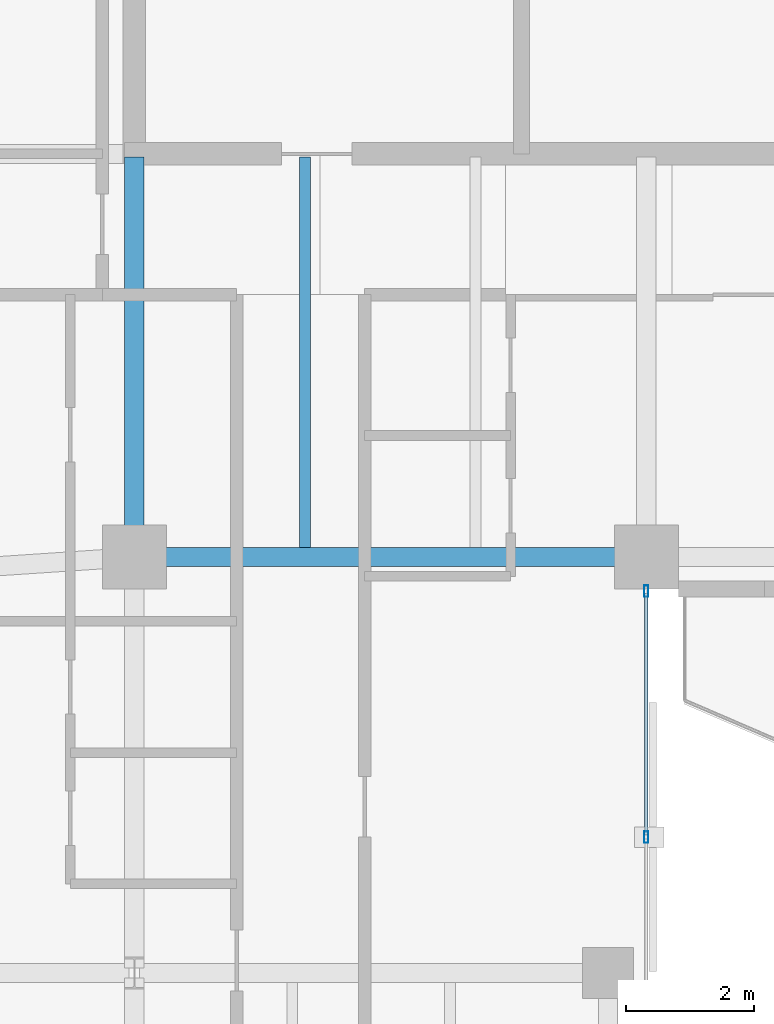
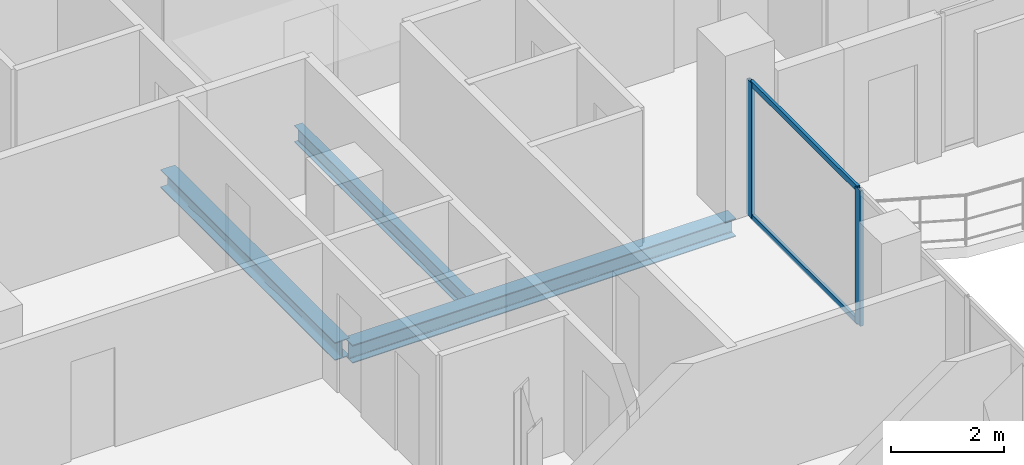
# One storey, part 10 of 24: 4 members, 3 beams, 1 element without a shape of its own.
"""IFC4 building model written with IfcOpenShell, lengths in metres."""

from ifc_helpers import new_model, si_unit, direction, frame, origin, origin_2d, place, context, subcontext, project, spatial, hollow_rectangle, i_section, extrude, material, layer, layer_set, material_profile, profile_set, type_object, element, aggregate, save


model = new_model("IFC4")

# Units and contexts
model_context = context("Model", 3, precision=1e-05, world=origin(), true_north=direction((0.0, 1.0)))
body_context = subcontext(model_context, "Body", "Model", "MODEL_VIEW")
ifc_project = project(units=[si_unit("LENGTHUNIT", "METRE"), si_unit("AREAUNIT", "SQUARE_METRE"), si_unit("VOLUMEUNIT", "CUBIC_METRE"), si_unit("PLANEANGLEUNIT", "RADIAN"), si_unit("MASSUNIT", "GRAM", prefix="KILO")], contexts=[model_context])

# Site, building, storey
site_placement = place(None, origin())
site = spatial("IfcSite", under=ifc_project, at=site_placement, CompositionType="ELEMENT")
building_placement = place(site_placement, origin())
building = spatial("IfcBuilding", under=site, at=building_placement, Name="Catumbela Crestline Tower", CompositionType="ELEMENT")
storey_placement = place(building_placement, frame((0.0, 0.0, 154.2)))
storey = spatial("IfcBuildingStorey", under=building, at=storey_placement, Name="L39", CompositionType="ELEMENT", Elevation=154.2)

# Beams
ifc_material_1 = material(Name="Structural steel S355J2", Category="steel")
ifc_material_profile_1 = material_profile(ifc_material_1, i_section(OverallWidth=0.3, OverallDepth=0.39, WebThickness=0.011, FlangeThickness=0.019, FilletRadius=0.027, at=origin_2d()), Name="HEA 400")
ifc_profile_set_1 = profile_set([ifc_material_profile_1], Name="Structural steel S355J2")
beam_type_1 = type_object("IfcBeamType", Name="BG-HEA400", PredefinedType="BEAM", material=ifc_profile_set_1)
beam_1_placement = place(storey_placement, frame((16.08, 24.5, -0.455), z_axis=(1.0, 0.0, 0.0), x_axis=(0.0, 1.0, 0.0)))
element("IfcBeam", 1, at=beam_1_placement, inside=storey, type_object=beam_type_1, Name="L39 Beam BM-L39-S03", PredefinedType="BEAM", context=body_context, shape_type="SweptSolid", body=[
    extrude(i_section(OverallWidth=0.3, OverallDepth=0.39, WebThickness=0.011, FlangeThickness=0.019, FilletRadius=0.027, at=origin_2d()), origin(), (0.0, 0.0, 1.0), 7.84),
])
beam_2_placement = place(storey_placement, frame((16.0, 24.58, -0.455), z_axis=(0.0, 1.0, 0.0), x_axis=(-1.0, 0.0, 0.0)))
element("IfcBeam", 2, at=beam_2_placement, inside=storey, type_object=beam_type_1, Name="L39 Beam BM-L39-SNS17", PredefinedType="BEAM", context=body_context, shape_type="SweptSolid", body=[
    extrude(i_section(OverallWidth=0.3, OverallDepth=0.39, WebThickness=0.011, FlangeThickness=0.019, FilletRadius=0.027, at=origin_2d()), origin(), (0.0, 0.0, 1.0), 6.17),
])
ifc_material_profile_2 = material_profile(ifc_material_1, i_section(OverallWidth=0.17, OverallDepth=0.36, WebThickness=0.008, FlangeThickness=0.0127, FilletRadius=0.018, at=origin_2d()), Name="IPE 360")
ifc_profile_set_2 = profile_set([ifc_material_profile_2], Name="Structural steel S355J2")
beam_type_2 = type_object("IfcBeamType", Name="BJ-IPE360", PredefinedType="JOIST", material=ifc_profile_set_2)
beam_3_placement = place(storey_placement, frame((18.667, 24.647, -0.44), z_axis=(0.0, 1.0, 0.0), x_axis=(-1.0, 0.0, 0.0)))
element("IfcBeam", 3, at=beam_3_placement, inside=storey, type_object=beam_type_2, Name="L39 Joist JS-L39-SP26", PredefinedType="JOIST", context=body_context, shape_type="SweptSolid", body=[
    extrude(i_section(OverallWidth=0.17, OverallDepth=0.36, WebThickness=0.008, FlangeThickness=0.0127, FilletRadius=0.018, at=origin_2d()), origin(), (0.0, 0.0, 1.0), 6.103),
])

# Curtain wall, members
ifc_material_2 = material(Name="Aluminium alloy AW-6060-T66", Category="aluminium")
ifc_layer = layer(ifc_material_2, 0.18, Name="Aluminium alloy AW-6060-T66")
ifc_layer_set = layer_set([ifc_layer], Name="Aluminium alloy AW-6060-T66")
curtain_wall_type = type_object("IfcCurtainWallType", Name="CWU-Z3", PredefinedType="USERDEFINED", material=ifc_layer_set)
curtain_wall_placement = place(storey_placement, origin())
curtain_wall = element("IfcCurtainWall", 4, at=curtain_wall_placement, inside=storey, type_object=curtain_wall_type, Name="L39 Unitised Curtain Wall CW-L39-E2S1", ObjectType="UNITISED", PredefinedType="USERDEFINED")
ifc_material_profile_3 = material_profile(ifc_material_2, hollow_rectangle(XDim=0.065, YDim=0.18, WallThickness=0.004, at=origin_2d()), Name="ALU 180x65x4")
ifc_profile_set_3 = profile_set([ifc_material_profile_3], Name="Aluminium alloy AW-6060-T66")
member_type_1 = type_object("IfcMemberType", Name="MUL-180X65", PredefinedType="MULLION", material=ifc_profile_set_3)
member_1_placement = place(storey_placement, frame((24.0, 20.125, 0.0), z_axis=(0.0, 0.0, 1.0), x_axis=(-1.0, 0.0, 0.0)))
member_1 = element("IfcMember", 5, at=member_1_placement, type_object=member_type_1, Name="CWU-Z3 mullion 4", PredefinedType="MULLION", context=body_context, shape_type="SweptSolid", body=[
    extrude(hollow_rectangle(XDim=0.065, YDim=0.18, WallThickness=0.004, at=origin_2d()), origin(), (0.0, 0.0, 1.0), 2.93),
])
member_2_placement = place(storey_placement, frame((24.0, 23.9675, 0.0), z_axis=(0.0, 0.0, 1.0), x_axis=(-1.0, 0.0, 0.0)))
member_2 = element("IfcMember", 6, at=member_2_placement, type_object=member_type_1, Name="CWU-Z3 mullion 5", PredefinedType="MULLION", context=body_context, shape_type="SweptSolid", body=[
    extrude(hollow_rectangle(XDim=0.065, YDim=0.18, WallThickness=0.004, at=origin_2d()), origin(), (0.0, 0.0, 1.0), 2.93),
])
ifc_material_profile_4 = material_profile(ifc_material_2, hollow_rectangle(XDim=0.06, YDim=0.12, WallThickness=0.0035, at=origin_2d()), Name="ALU 120x60x3.5")
ifc_profile_set_4 = profile_set([ifc_material_profile_4], Name="Aluminium alloy AW-6060-T66")
member_type_2 = type_object("IfcMemberType", Name="TRN-120X60", PredefinedType="USERDEFINED", material=ifc_profile_set_4)
member_3_placement = place(storey_placement, frame((24.0, 20.1575, 0.03), z_axis=(0.0, 1.0, 0.0), x_axis=(-1.0, 0.0, 0.0)))
member_3 = element("IfcMember", 7, at=member_3_placement, type_object=member_type_2, Name="CWU-Z3 transom 4.1", ObjectType="TRANSOM", PredefinedType="USERDEFINED", context=body_context, shape_type="SweptSolid", body=[
    extrude(hollow_rectangle(XDim=0.06, YDim=0.12, WallThickness=0.0035, at=origin_2d()), origin(), (0.0, 0.0, 1.0), 3.7775),
])
member_4_placement = place(storey_placement, frame((24.0, 20.1575, 2.9), z_axis=(0.0, 1.0, 0.0), x_axis=(-1.0, 0.0, 0.0)))
member_4 = element("IfcMember", 8, at=member_4_placement, type_object=member_type_2, Name="CWU-Z3 transom 4.2", ObjectType="TRANSOM", PredefinedType="USERDEFINED", context=body_context, shape_type="SweptSolid", body=[
    extrude(hollow_rectangle(XDim=0.06, YDim=0.12, WallThickness=0.0035, at=origin_2d()), origin(), (0.0, 0.0, 1.0), 3.7775),
])
aggregate(curtain_wall, [member_1, member_2, member_3, member_4])

save(model, "model.ifc")
